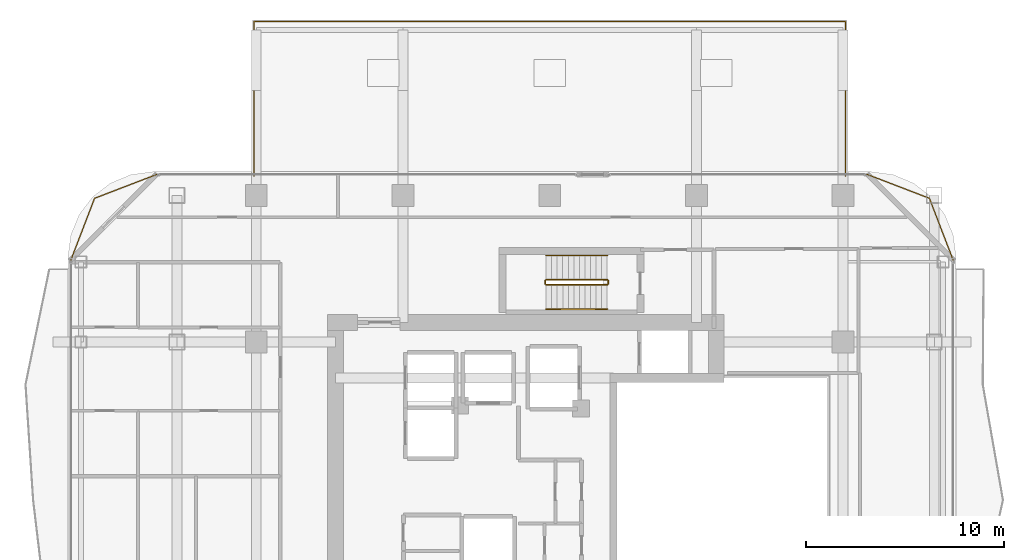
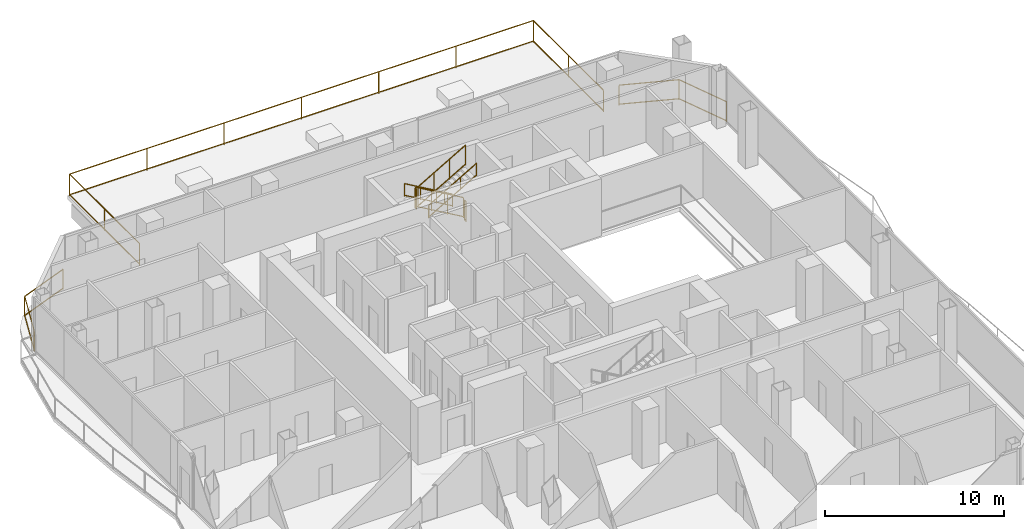
# One storey, part 24 of 24: 9 railings.
"""IFC4 building model written with IfcOpenShell, lengths in metres."""

import ifcopenshell
import ifcopenshell.guid

model = None  # the IFC model being written
_history = None  # IfcOwnerHistory: only IFC2X3 demands one
_inside = {}  # id of a spatial element -> (the spatial element, [elements in it])
_under = {}  # id of a project, library or spatial element -> (it, [spatial elements below it])
_declared = {}  # id of a project -> (the project, [libraries it declares])
_typed = {}  # id of a type object -> (the type object, [elements of that type])
_made_of = {}  # id of a material, layer set ... -> (it, [elements and type objects made of it])


def new_model(schema):
    """Start an empty IFC model of exactly this schema.

    Asked for "IFC4X3", IfcOpenShell would pick the latest addendum, in which some entities
    have other attributes; the version numbers below select the first issue.
    IFC2X3 requires an IfcOwnerHistory on every rooted entity: one is made here for all.
    """
    global model, _history
    if schema == "IFC4X3":
        model = ifcopenshell.file(schema_version=(4, 3, 0, 0))
    else:
        model = ifcopenshell.file(schema=schema)
    _inside.clear()
    _under.clear()
    _declared.clear()
    _typed.clear()
    _made_of.clear()
    _history = None
    if model.schema == "IFC2X3":
        org = make("IfcOrganization", Name="unknown")
        user = make(
            "IfcPersonAndOrganization",
            ThePerson=make("IfcPerson", FamilyName="unknown"),
            TheOrganization=org,
        )
        app = make(
            "IfcApplication",
            ApplicationDeveloper=org,
            Version="unknown",
            ApplicationFullName="unknown",
            ApplicationIdentifier="unknown",
        )
        _history = make(
            "IfcOwnerHistory",
            OwningUser=user,
            OwningApplication=app,
            ChangeAction="ADDED",
            CreationDate=0,
        )
    return model


def make(cls, **values):
    """One entity of the class cls with the attributes given. An attribute that is None is left unset."""
    return model.create_entity(
        cls, **{name: value for name, value in values.items() if value is not None}
    )


def rooted(cls, **values):
    """An entity with a GlobalId (a new one), such as an element, a storey or a relation."""
    return make(cls, GlobalId=ifcopenshell.guid.new(), OwnerHistory=_history, **values)


def si_unit(unit_type, name, prefix=None):
    """IfcSIUnit, for example si_unit("LENGTHUNIT", "METRE", prefix="MILLI")."""
    return make("IfcSIUnit", UnitType=unit_type, Prefix=prefix, Name=name)


def assignment(units):
    """IfcUnitAssignment: the units of a project."""
    return None if units is None else make("IfcUnitAssignment", Units=units)


def point(xyz):
    """IfcCartesianPoint."""
    return None if xyz is None else make("IfcCartesianPoint", Coordinates=xyz)


def direction(xyz):
    """IfcDirection."""
    return None if xyz is None else make("IfcDirection", DirectionRatios=xyz)


def frame(location, z_axis=None, x_axis=None):
    """IfcAxis2Placement3D, a coordinate frame: its origin and axes. An axis left out is left unset."""
    return make(
        "IfcAxis2Placement3D",
        Location=point(location),
        Axis=direction(z_axis),
        RefDirection=direction(x_axis),
    )


def frame_2d(location, x_axis=None):
    """IfcAxis2Placement2D, a coordinate frame in the plane: its origin and x axis."""
    return make(
        "IfcAxis2Placement2D", Location=point(location), RefDirection=direction(x_axis)
    )


def origin():
    """The frame at (0, 0, 0) with its axes left unset."""
    return frame((0.0, 0.0, 0.0))


def origin_2d():
    """The frame at (0, 0) in the plane with its x axis left unset."""
    return frame_2d((0.0, 0.0))


def place(relative_to, where):
    """IfcLocalPlacement: puts the frame where relative to a parent placement (None: the world)."""
    return make(
        "IfcLocalPlacement", PlacementRelTo=relative_to, RelativePlacement=where
    )


def context(
    kind, dimensions, precision=None, world=None, true_north=None, identifier=None
):
    """IfcGeometricRepresentationContext, for example the 3D "Model" context."""
    return make(
        "IfcGeometricRepresentationContext",
        ContextIdentifier=identifier,
        ContextType=kind,
        CoordinateSpaceDimension=dimensions,
        Precision=precision,
        WorldCoordinateSystem=world,
        TrueNorth=true_north,
    )


def subcontext(parent, identifier, kind, view, scale=None):
    """IfcGeometricRepresentationSubContext, for example "Body" below "Model"."""
    return make(
        "IfcGeometricRepresentationSubContext",
        ContextIdentifier=identifier,
        ContextType=kind,
        ParentContext=parent,
        TargetScale=scale,
        TargetView=view,
    )


def project(units=None, contexts=None):
    """IfcProject with its units and contexts."""
    return rooted(
        "IfcProject",
        Name="project",
        RepresentationContexts=contexts,
        UnitsInContext=assignment(units),
    )


def spatial(cls, under=None, at=None, **own):
    """A site, building, storey or space (cls), placed at a placement, below another one or the project."""
    s = rooted(cls, ObjectPlacement=at, **own)
    if under is not None:
        _under.setdefault(under.id(), (under, []))[1].append(s)
    return s


def profile(cls, at=None, kind="AREA", **sizes):
    """A parametric profile (cls). Its sizes go by their IFC names, for example OverallWidth=200.0."""
    return make(cls, ProfileType=kind, Position=at, **sizes)


def rectangle(**sizes):
    """IfcRectangleProfileDef."""
    return profile("IfcRectangleProfileDef", **sizes)


def extrude(swept, where, along, depth):
    """IfcExtrudedAreaSolid: the profile swept, set in the frame where, extruded along a direction by depth."""
    return make(
        "IfcExtrudedAreaSolid",
        SweptArea=swept,
        Position=where,
        ExtrudedDirection=direction(along),
        Depth=depth,
    )


def shape(context_of_items, identifier, shape_type, items):
    """IfcShapeRepresentation: the items that make up one representation, for example the "Body"."""
    return make(
        "IfcShapeRepresentation",
        ContextOfItems=context_of_items,
        RepresentationIdentifier=identifier,
        RepresentationType=shape_type,
        Items=items,
    )


def material(Name=None, Category=None):
    """IfcMaterial."""
    return make("IfcMaterial", Name=Name, Category=Category)


def made_of(thing, what):
    """Note that an element or type object is made of a material, layer set ...; save() writes the relation."""
    if what is not None:
        _made_of.setdefault(what.id(), (what, []))[1].append(thing)
    return thing


def type_object(cls, material=None, **own):
    """A type object (cls), such as IfcWallType, which elements share."""
    return made_of(rooted(cls, **own), material)


def element(
    cls,
    number,
    at=None,
    inside=None,
    cuts=None,
    type_object=None,
    material=None,
    context=None,
    identifier="Body",
    shape_type=None,
    held_by="IfcProductDefinitionShape",
    body=None,
    shapes=None,
    **own,
):
    """One element of the class cls, such as IfcWall. Its Tag is "e" and its number.

    at: its placement. inside: the storey or other place that contains it. cuts: it is an
    opening in that element (IfcRelVoidsElement). A single representation is given by context,
    identifier, shape_type and body (its items); several are given by shapes. held_by: the class
    of the entity that holds the representations. save() writes the other relations.
    """
    e = rooted(cls, Tag="e%d" % number, ObjectPlacement=at, **own)
    if body is not None:
        shapes = [shape(context, identifier, shape_type, body)]
    if shapes is not None:
        e.Representation = make(held_by, Representations=shapes)
    if inside is not None:
        _inside.setdefault(inside.id(), (inside, []))[1].append(e)
    if cuts is not None:
        rooted(
            "IfcRelVoidsElement", RelatingBuildingElement=cuts, RelatedOpeningElement=e
        )
    if type_object is not None:
        _typed.setdefault(type_object.id(), (type_object, []))[1].append(e)
    return made_of(e, material)


def aggregate(whole, parts):
    """IfcRelAggregates: a whole, such as a stair, and the parts it consists of."""
    return rooted("IfcRelAggregates", RelatingObject=whole, RelatedObjects=parts)


def save(model, path):
    """Write the relations noted so far, then the file.

    IfcRelAggregates (storeys below a building ...), IfcRelContainedInSpatialStructure (elements
    in a storey), IfcRelDefinesByType, IfcRelAssociatesMaterial and IfcRelDeclares: one each for
    every whole, place, type object, material and project.
    """
    for whole, parts in _under.values():
        aggregate(whole, parts)
    for where, things in _inside.values():
        rooted(
            "IfcRelContainedInSpatialStructure",
            RelatedElements=things,
            RelatingStructure=where,
        )
    for kind, things in _typed.values():
        rooted("IfcRelDefinesByType", RelatedObjects=things, RelatingType=kind)
    for what, things in _made_of.values():
        rooted("IfcRelAssociatesMaterial", RelatedObjects=things, RelatingMaterial=what)
    for by, libraries in _declared.values():
        rooted("IfcRelDeclares", RelatingContext=by, RelatedDefinitions=libraries)
    model.write(path)


model = new_model("IFC4")

# Units and contexts
model_context = context("Model", 3, precision=1e-05, world=origin(), true_north=direction((0.0, 1.0)))
body_context = subcontext(model_context, "Body", "Model", "MODEL_VIEW")
ifc_project = project(units=[si_unit("LENGTHUNIT", "METRE"), si_unit("AREAUNIT", "SQUARE_METRE"), si_unit("VOLUMEUNIT", "CUBIC_METRE"), si_unit("PLANEANGLEUNIT", "RADIAN"), si_unit("MASSUNIT", "GRAM", prefix="KILO")], contexts=[model_context])

# Site, building, storey
site_placement = place(None, origin())
site = spatial("IfcSite", under=ifc_project, at=site_placement, CompositionType="ELEMENT")
building_placement = place(site_placement, origin())
building = spatial("IfcBuilding", under=site, at=building_placement, Name="Khorvyn Point Tower", CompositionType="ELEMENT")
storey_placement = place(building_placement, frame((0.0, 0.0, 191.39990234375)))
storey = spatial("IfcBuildingStorey", under=building, at=storey_placement, Name="L47", CompositionType="ELEMENT", Elevation=191.39990234375)

# Railings
ifc_material_1 = material(Name="Anodised aluminium 6063-T6 and laminated safety glass", Category="aluminium")
railing_type_1 = type_object("IfcRailingType", Name="Laminated Glass and Aluminium Balcony Guardrail 1400", PredefinedType="BALUSTRADE", material=ifc_material_1)
railing_1_placement = place(storey_placement, frame((-19.78125, 15.874267578125, 0.0)))
element("IfcRailing", 1, at=railing_1_placement, inside=storey, type_object=railing_type_1, Name="L47 Rounded Corner Edge Guardrail NW", PredefinedType="BALUSTRADE", context=body_context, shape_type="SweptSolid", body=[
    extrude(rectangle(XDim=0.048095703125, YDim=0.048095703125, at=origin_2d()), frame((0.0, 0.0, 1.3759765625), z_axis=(-0.933589651443, -0.358343916815, 0.0), x_axis=(0.358343916815, -0.933589651443, 0.0)), (0.0, 0.0, 1.0), 3.400390625),
    extrude(rectangle(XDim=0.048095703125, YDim=0.048095703125, at=origin_2d()), frame((0.0, 0.0, 0.080078125), z_axis=(-0.933589651443, -0.358343916815, 0.0), x_axis=(0.358343916815, -0.933589651443, 0.0)), (0.0, 0.0, 1.0), 3.400390625),
    extrude(rectangle(XDim=0.048095703125, YDim=0.048095703125, at=origin_2d()), frame((-3.174560546875, -1.218505859375, 1.3759765625), z_axis=(-0.358343916815, -0.933589651443, 0.0), x_axis=(0.933589651443, -0.358343916815, 0.0)), (0.0, 0.0, 1.0), 3.400390625),
    extrude(rectangle(XDim=0.048095703125, YDim=0.048095703125, at=origin_2d()), frame((-3.174560546875, -1.218505859375, 0.080078125), z_axis=(-0.358343916815, -0.933589651443, 0.0), x_axis=(0.933589651443, -0.358343916815, 0.0)), (0.0, 0.0, 1.0), 3.400390625),
    extrude(rectangle(XDim=0.0419921875, YDim=0.0419921875, at=origin_2d()), origin(), (0.0, 0.0, 1.0), 1.351806640625),
    extrude(rectangle(XDim=0.0419921875, YDim=0.0419921875, at=origin_2d()), frame((-3.174560546875, -1.218505859375, 0.0)), (0.0, 0.0, 1.0), 1.351806640625),
    extrude(rectangle(XDim=0.0419921875, YDim=0.0419921875, at=origin_2d()), frame((-4.39306640625, -4.39306640625, 0.0)), (0.0, 0.0, 1.0), 1.351806640625),
])
railing_2_placement = place(storey_placement, frame((20.374267578125, 11.481201171875, 0.0)))
element("IfcRailing", 2, at=railing_2_placement, inside=storey, type_object=railing_type_1, Name="L47 Rounded Corner Edge Guardrail NE", PredefinedType="BALUSTRADE", context=body_context, shape_type="SweptSolid", body=[
    extrude(rectangle(XDim=0.048095703125, YDim=0.048095703125, at=origin_2d()), frame((0.0, 0.0, 1.3759765625), z_axis=(-0.358343916815, 0.933589651443, 0.0), x_axis=(-0.933589651443, -0.358343916815, 0.0)), (0.0, 0.0, 1.0), 3.400390625),
    extrude(rectangle(XDim=0.048095703125, YDim=0.048095703125, at=origin_2d()), frame((0.0, 0.0, 0.080078125), z_axis=(-0.358343916815, 0.933589651443, 0.0), x_axis=(-0.933589651443, -0.358343916815, 0.0)), (0.0, 0.0, 1.0), 3.400390625),
    extrude(rectangle(XDim=0.048095703125, YDim=0.048095703125, at=origin_2d()), frame((-1.218505859375, 3.174560546875, 1.3759765625), z_axis=(-0.933589651443, 0.358343916815, 0.0), x_axis=(-0.358343916815, -0.933589651443, 0.0)), (0.0, 0.0, 1.0), 3.400390625),
    extrude(rectangle(XDim=0.048095703125, YDim=0.048095703125, at=origin_2d()), frame((-1.218505859375, 3.174560546875, 0.080078125), z_axis=(-0.933589651443, 0.358343916815, 0.0), x_axis=(-0.358343916815, -0.933589651443, 0.0)), (0.0, 0.0, 1.0), 3.400390625),
    extrude(rectangle(XDim=0.0419921875, YDim=0.0419921875, at=origin_2d()), origin(), (0.0, 0.0, 1.0), 1.351806640625),
    extrude(rectangle(XDim=0.0419921875, YDim=0.0419921875, at=origin_2d()), frame((-1.218505859375, 3.174560546875, 0.0)), (0.0, 0.0, 1.0), 1.351806640625),
    extrude(rectangle(XDim=0.0419921875, YDim=0.0419921875, at=origin_2d()), frame((-4.39306640625, 4.39306640625, 0.0)), (0.0, 0.0, 1.0), 1.351806640625),
])
ifc_material_2 = material(Name="Stainless steel 1.4401", Category="steel")
railing_type_2 = type_object("IfcRailingType", Name="School Terrace Anti-Climb Safety Guardrail 1500", PredefinedType="GUARDRAIL", material=ifc_material_2)
railing_3_placement = place(storey_placement, frame((-14.919921875, 15.77001953125, 0.0)))
element("IfcRailing", 3, at=railing_3_placement, inside=storey, type_object=railing_type_2, Name="L47 Setback Terrace Guardrail", PredefinedType="GUARDRAIL", context=body_context, shape_type="SweptSolid", body=[
    extrude(rectangle(XDim=0.048095703125, YDim=0.048095703125, at=origin_2d()), frame((0.0, 0.0, 1.47607421875), z_axis=(0.0, 1.0, 0.0), x_axis=(-1.0, 0.0, 0.0)), (0.0, 0.0, 1.0), 7.800048828125),
    extrude(rectangle(XDim=0.048095703125, YDim=0.048095703125, at=origin_2d()), frame((0.0, 0.0, 0.080078125), z_axis=(0.0, 1.0, 0.0), x_axis=(-1.0, 0.0, 0.0)), (0.0, 0.0, 1.0), 7.800048828125),
    extrude(rectangle(XDim=0.048095703125, YDim=0.048095703125, at=origin_2d()), frame((0.0, 7.800048828125, 1.47607421875), z_axis=(1.0, 0.0, 0.0), x_axis=(0.0, 1.0, 0.0)), (0.0, 0.0, 1.0), 29.83984375),
    extrude(rectangle(XDim=0.048095703125, YDim=0.048095703125, at=origin_2d()), frame((0.0, 7.800048828125, 0.080078125), z_axis=(1.0, 0.0, 0.0), x_axis=(0.0, 1.0, 0.0)), (0.0, 0.0, 1.0), 29.83984375),
    extrude(rectangle(XDim=0.048095703125, YDim=0.048095703125, at=origin_2d()), frame((29.83984375, 7.800048828125, 1.47607421875), z_axis=(0.0, -1.0, 0.0), x_axis=(1.0, 0.0, 0.0)), (0.0, 0.0, 1.0), 7.800048828125),
    extrude(rectangle(XDim=0.048095703125, YDim=0.048095703125, at=origin_2d()), frame((29.83984375, 7.800048828125, 0.080078125), z_axis=(0.0, -1.0, 0.0), x_axis=(1.0, 0.0, 0.0)), (0.0, 0.0, 1.0), 7.800048828125),
    extrude(rectangle(XDim=0.0419921875, YDim=0.0419921875, at=origin_2d()), origin(), (0.0, 0.0, 1.0), 1.451904296875),
    extrude(rectangle(XDim=0.0419921875, YDim=0.0419921875, at=origin_2d()), frame((0.0, 3.89990234375, 0.0)), (0.0, 0.0, 1.0), 1.451904296875),
    extrude(rectangle(XDim=0.0419921875, YDim=0.0419921875, at=origin_2d()), frame((0.0, 7.800048828125, 0.0)), (0.0, 0.0, 1.0), 1.451904296875),
    extrude(rectangle(XDim=0.0419921875, YDim=0.0419921875, at=origin_2d()), frame((4.973388671875, 7.800048828125, 0.0)), (0.0, 0.0, 1.0), 1.451904296875),
    extrude(rectangle(XDim=0.0419921875, YDim=0.0419921875, at=origin_2d()), frame((9.946533203125, 7.800048828125, 0.0)), (0.0, 0.0, 1.0), 1.451904296875),
    extrude(rectangle(XDim=0.0419921875, YDim=0.0419921875, at=origin_2d()), frame((14.919921875, 7.800048828125, 0.0)), (0.0, 0.0, 1.0), 1.451904296875),
    extrude(rectangle(XDim=0.0419921875, YDim=0.0419921875, at=origin_2d()), frame((19.893310546875, 7.800048828125, 0.0)), (0.0, 0.0, 1.0), 1.451904296875),
    extrude(rectangle(XDim=0.0419921875, YDim=0.0419921875, at=origin_2d()), frame((24.866455078125, 7.800048828125, 0.0)), (0.0, 0.0, 1.0), 1.451904296875),
    extrude(rectangle(XDim=0.0419921875, YDim=0.0419921875, at=origin_2d()), frame((29.83984375, 7.800048828125, 0.0)), (0.0, 0.0, 1.0), 1.451904296875),
    extrude(rectangle(XDim=0.0419921875, YDim=0.0419921875, at=origin_2d()), frame((29.83984375, 3.89990234375, 0.0)), (0.0, 0.0, 1.0), 1.451904296875),
    extrude(rectangle(XDim=0.0419921875, YDim=0.0419921875, at=origin_2d()), frame((29.83984375, 0.0, 0.0)), (0.0, 0.0, 1.0), 1.451904296875),
])
ifc_material_3 = material(Name="Stainless steel 1.4301", Category="steel")
railing_type_3 = type_object("IfcRailingType", Name="Stainless Steel 304 Stair Pitch Handrail 900", PredefinedType="HANDRAIL", material=ifc_material_3)
railing_4_placement = place(storey_placement, frame((2.89990234375, 11.77001953125, 0.16259765625)))
element("IfcRailing", 4, at=railing_4_placement, inside=storey, type_object=railing_type_3, Name="L47 ST-02 stair handrail 1", PredefinedType="HANDRAIL", context=body_context, shape_type="SweptSolid", body=[
    extrude(rectangle(XDim=0.048095703125, YDim=0.048095703125, at=origin_2d()), frame((0.0, 0.0, 0.8759765625), z_axis=(-0.864873446163, 0.0, 0.501989962173), x_axis=(0.0, -1.0, 0.0)), (0.0, 0.0, 1.0), 3.56103515625),
    extrude(rectangle(XDim=0.048095703125, YDim=0.048095703125, at=origin_2d()), frame((0.0, 0.0, 0.080078125), z_axis=(-0.864873446163, 0.0, 0.501989962173), x_axis=(0.0, -1.0, 0.0)), (0.0, 0.0, 1.0), 3.56103515625),
    extrude(rectangle(XDim=0.0419921875, YDim=0.0419921875, at=origin_2d()), origin(), (0.0, 0.0, 1.0), 0.851806640625),
    extrude(rectangle(XDim=0.0419921875, YDim=0.0419921875, at=origin_2d()), frame((-1.026611328125, 0.0, 0.595947265625)), (0.0, 0.0, 1.0), 0.851806640625),
    extrude(rectangle(XDim=0.0419921875, YDim=0.0419921875, at=origin_2d()), frame((-2.05322265625, 0.0, 1.191650390625)), (0.0, 0.0, 1.0), 0.851806640625),
    extrude(rectangle(XDim=0.0419921875, YDim=0.0419921875, at=origin_2d()), frame((-3.079833984375, 0.0, 1.78759765625)), (0.0, 0.0, 1.0), 0.851806640625),
])
railing_5_placement = place(storey_placement, frame((-0.179931640625, 9.070068359375, 2.112548828125)))
element("IfcRailing", 5, at=railing_5_placement, inside=storey, type_object=railing_type_3, Name="L47 ST-02 stair handrail 2", PredefinedType="HANDRAIL", context=body_context, shape_type="SweptSolid", body=[
    extrude(rectangle(XDim=0.048095703125, YDim=0.048095703125, at=origin_2d()), frame((0.0, 0.0, 0.8759765625), z_axis=(0.864873446163, 0.0, 0.501989962173), x_axis=(0.0, 1.0, 0.0)), (0.0, 0.0, 1.0), 3.56103515625),
    extrude(rectangle(XDim=0.048095703125, YDim=0.048095703125, at=origin_2d()), frame((0.0, 0.0, 0.080078125), z_axis=(0.864873446163, 0.0, 0.501989962173), x_axis=(0.0, 1.0, 0.0)), (0.0, 0.0, 1.0), 3.56103515625),
    extrude(rectangle(XDim=0.0419921875, YDim=0.0419921875, at=origin_2d()), origin(), (0.0, 0.0, 1.0), 0.851806640625),
    extrude(rectangle(XDim=0.0419921875, YDim=0.0419921875, at=origin_2d()), frame((1.026611328125, 0.0, 0.595947265625)), (0.0, 0.0, 1.0), 0.851806640625),
    extrude(rectangle(XDim=0.0419921875, YDim=0.0419921875, at=origin_2d()), frame((2.05322265625, 0.0, 1.191650390625)), (0.0, 0.0, 1.0), 0.851806640625),
    extrude(rectangle(XDim=0.0419921875, YDim=0.0419921875, at=origin_2d()), frame((3.079833984375, 0.0, 1.78759765625)), (0.0, 0.0, 1.0), 0.851806640625),
])
railing_type_4 = type_object("IfcRailingType", Name="Stainless Steel 304 Stair Well Guardrail 1400", PredefinedType="GUARDRAIL", material=ifc_material_3)
railing_6_placement = place(storey_placement, frame((2.89990234375, 10.550048828125, 0.16259765625)))
element("IfcRailing", 6, at=railing_6_placement, inside=storey, type_object=railing_type_4, Name="L47 ST-02 stair guard 1", PredefinedType="GUARDRAIL", context=body_context, shape_type="SweptSolid", body=[
    extrude(rectangle(XDim=0.048095703125, YDim=0.048095703125, at=origin_2d()), frame((0.0, 0.0, 1.3759765625), z_axis=(-0.864873446163, 0.0, 0.501989962173), x_axis=(0.0, -1.0, 0.0)), (0.0, 0.0, 1.0), 3.56103515625),
    extrude(rectangle(XDim=0.048095703125, YDim=0.048095703125, at=origin_2d()), frame((0.0, 0.0, 0.080078125), z_axis=(-0.864873446163, 0.0, 0.501989962173), x_axis=(0.0, -1.0, 0.0)), (0.0, 0.0, 1.0), 3.56103515625),
    extrude(rectangle(XDim=0.0419921875, YDim=0.0419921875, at=origin_2d()), origin(), (0.0, 0.0, 1.0), 1.351806640625),
    extrude(rectangle(XDim=0.0419921875, YDim=0.0419921875, at=origin_2d()), frame((-1.026611328125, 0.0, 0.595947265625)), (0.0, 0.0, 1.0), 1.351806640625),
    extrude(rectangle(XDim=0.0419921875, YDim=0.0419921875, at=origin_2d()), frame((-2.05322265625, 0.0, 1.191650390625)), (0.0, 0.0, 1.0), 1.351806640625),
    extrude(rectangle(XDim=0.0419921875, YDim=0.0419921875, at=origin_2d()), frame((-3.079833984375, 0.0, 1.78759765625)), (0.0, 0.0, 1.0), 1.351806640625),
])
railing_7_placement = place(storey_placement, frame((-0.22998046875, 10.5, 1.9501953125)))
element("IfcRailing", 7, at=railing_7_placement, inside=storey, type_object=railing_type_4, Name="L47 ST-02 stair guard 2", PredefinedType="GUARDRAIL", context=body_context, shape_type="SweptSolid", body=[
    extrude(rectangle(XDim=0.048095703125, YDim=0.048095703125, at=origin_2d()), frame((0.0, 0.0, 1.3759765625), z_axis=(0.0, -1.0, 0.0), x_axis=(1.0, 0.0, 0.0)), (0.0, 0.0, 1.0), 0.159912109375),
    extrude(rectangle(XDim=0.048095703125, YDim=0.048095703125, at=origin_2d()), frame((0.0, 0.0, 0.080078125), z_axis=(0.0, -1.0, 0.0), x_axis=(1.0, 0.0, 0.0)), (0.0, 0.0, 1.0), 0.159912109375),
    extrude(rectangle(XDim=0.0419921875, YDim=0.0419921875, at=origin_2d()), origin(), (0.0, 0.0, 1.0), 1.351806640625),
    extrude(rectangle(XDim=0.0419921875, YDim=0.0419921875, at=origin_2d()), frame((0.0, -0.159912109375, 0.0)), (0.0, 0.0, 1.0), 1.351806640625),
])
railing_8_placement = place(storey_placement, frame((-0.179931640625, 10.2900390625, 2.112548828125)))
element("IfcRailing", 8, at=railing_8_placement, inside=storey, type_object=railing_type_4, Name="L47 ST-02 stair guard 3", PredefinedType="GUARDRAIL", context=body_context, shape_type="SweptSolid", body=[
    extrude(rectangle(XDim=0.048095703125, YDim=0.048095703125, at=origin_2d()), frame((0.0, 0.0, 1.3759765625), z_axis=(0.864873446163, 0.0, 0.501989962173), x_axis=(0.0, 1.0, 0.0)), (0.0, 0.0, 1.0), 3.56103515625),
    extrude(rectangle(XDim=0.048095703125, YDim=0.048095703125, at=origin_2d()), frame((0.0, 0.0, 0.080078125), z_axis=(0.864873446163, 0.0, 0.501989962173), x_axis=(0.0, 1.0, 0.0)), (0.0, 0.0, 1.0), 3.56103515625),
    extrude(rectangle(XDim=0.0419921875, YDim=0.0419921875, at=origin_2d()), origin(), (0.0, 0.0, 1.0), 1.351806640625),
    extrude(rectangle(XDim=0.0419921875, YDim=0.0419921875, at=origin_2d()), frame((1.026611328125, 0.0, 0.595947265625)), (0.0, 0.0, 1.0), 1.351806640625),
    extrude(rectangle(XDim=0.0419921875, YDim=0.0419921875, at=origin_2d()), frame((2.05322265625, 0.0, 1.191650390625)), (0.0, 0.0, 1.0), 1.351806640625),
    extrude(rectangle(XDim=0.0419921875, YDim=0.0419921875, at=origin_2d()), frame((3.079833984375, 0.0, 1.78759765625)), (0.0, 0.0, 1.0), 1.351806640625),
])
railing_9_placement = place(storey_placement, frame((2.949951171875, 10.5, 0.0)))
element("IfcRailing", 9, at=railing_9_placement, inside=storey, type_object=railing_type_4, Name="L47 ST-02 stair guard 4", PredefinedType="GUARDRAIL", context=body_context, shape_type="SweptSolid", body=[
    extrude(rectangle(XDim=0.048095703125, YDim=0.048095703125, at=origin_2d()), frame((0.0, 0.0, 1.3759765625), z_axis=(0.0, -1.0, 0.0), x_axis=(1.0, 0.0, 0.0)), (0.0, 0.0, 1.0), 0.159912109375),
    extrude(rectangle(XDim=0.048095703125, YDim=0.048095703125, at=origin_2d()), frame((0.0, 0.0, 0.080078125), z_axis=(0.0, -1.0, 0.0), x_axis=(1.0, 0.0, 0.0)), (0.0, 0.0, 1.0), 0.159912109375),
    extrude(rectangle(XDim=0.0419921875, YDim=0.0419921875, at=origin_2d()), origin(), (0.0, 0.0, 1.0), 1.351806640625),
    extrude(rectangle(XDim=0.0419921875, YDim=0.0419921875, at=origin_2d()), frame((0.0, -0.159912109375, 0.0)), (0.0, 0.0, 1.0), 1.351806640625),
])

save(model, "model.ifc")
